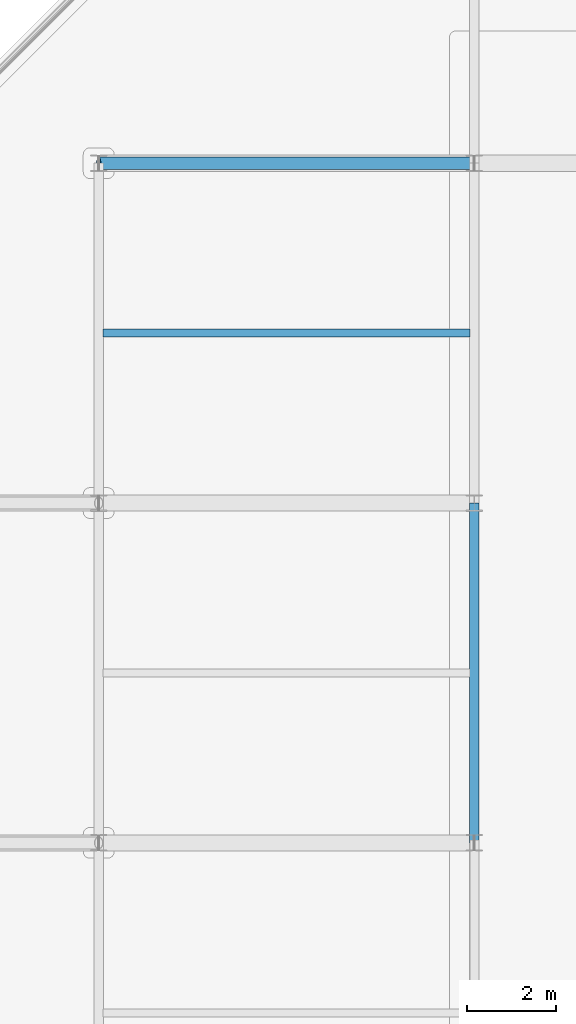
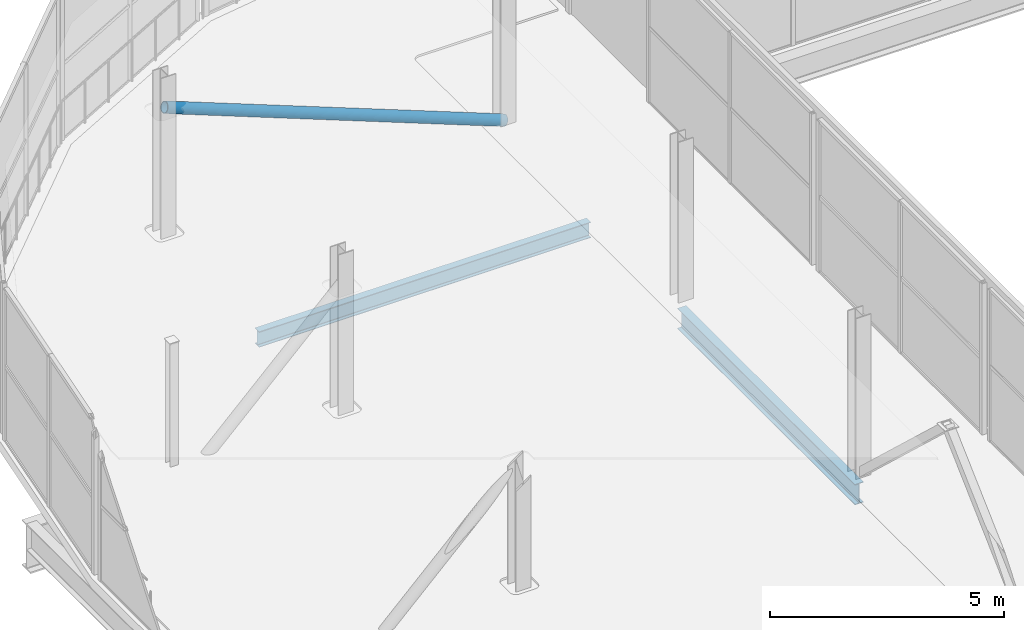
# One storey, part 52 of 217: 2 beams, 1 member.
"""IFC4 building model written with IfcOpenShell, lengths in metres."""

from ifc_helpers import new_model, si_unit, direction, frame, origin, origin_2d, place, context, subcontext, project, spatial, hollow_circle, i_section, extrude, material, material_profile, profile_set, type_object, element, save


model = new_model("IFC4")

# Units and contexts
model_context = context("Model", 3, precision=1e-05, world=origin(), true_north=direction((0.0, 1.0)))
body_context = subcontext(model_context, "Body", "Model", "MODEL_VIEW")
ifc_project = project(units=[si_unit("LENGTHUNIT", "METRE"), si_unit("AREAUNIT", "SQUARE_METRE"), si_unit("VOLUMEUNIT", "CUBIC_METRE"), si_unit("PLANEANGLEUNIT", "RADIAN"), si_unit("MASSUNIT", "GRAM", prefix="KILO")], contexts=[model_context])

# Site, building, storey
site_placement = place(None, origin())
site = spatial("IfcSite", under=ifc_project, at=site_placement, CompositionType="ELEMENT")
building_placement = place(site_placement, origin())
building = spatial("IfcBuilding", under=site, at=building_placement, Name="Zuvorla Pavilion Media Centre", CompositionType="ELEMENT")
storey_placement = place(building_placement, frame((0.0, 0.0, 9.60009765625)))
storey = spatial("IfcBuildingStorey", under=building, at=storey_placement, Name="L02", CompositionType="ELEMENT", Elevation=9.60009765625)

# Beams
ifc_material = material(Name="Steel S355", Category="steel")
ifc_material_profile_1 = material_profile(ifc_material, i_section(OverallWidth=0.1787109375, OverallDepth=0.409423828125, WebThickness=0.0087890625, FlangeThickness=0.014404296875, FilletRadius=0.01025390625, at=origin_2d()), Name="UB 406x178x67")
ifc_profile_set_1 = profile_set([ifc_material_profile_1], Name="Steel S355")
beam_type_1 = type_object("IfcBeamType", Name="BM-UB406", PredefinedType="JOIST", material=ifc_profile_set_1)
beam_1_placement = place(storey_placement, frame((16.5, 78.199951171875, -0.472900390625), z_axis=(1.0, 0.0, 0.0), x_axis=(0.0, 1.0, 0.0)))
element("IfcBeam", 1, at=beam_1_placement, inside=storey, type_object=beam_type_1, Name="L02 joist J02 984", PredefinedType="JOIST", context=body_context, shape_type="SweptSolid", body=[
    extrude(i_section(OverallWidth=0.1787109375, OverallDepth=0.409423828125, WebThickness=0.0087890625, FlangeThickness=0.014404296875, FilletRadius=0.01025390625, at=origin_2d()), origin(), (0.0, 0.0, 1.0), 8.199951171875),
])
ifc_material_profile_2 = material_profile(ifc_material, i_section(OverallWidth=0.2099609375, OverallDepth=0.53662109375, WebThickness=0.0107421875, FlangeThickness=0.017333984375, FilletRadius=0.0126953125, at=origin_2d()), Name="UB 533x210x101")
ifc_profile_set_2 = profile_set([ifc_material_profile_2], Name="Steel S355")
beam_type_2 = type_object("IfcBeamType", Name="BM-UB533", PredefinedType="BEAM", material=ifc_profile_set_2)
beam_2_placement = place(storey_placement, frame((24.800048828125, 66.800048828125, -0.536376953125), z_axis=(0.0, 1.0, 0.0), x_axis=(-1.0, 0.0, 0.0)))
element("IfcBeam", 2, at=beam_2_placement, inside=storey, type_object=beam_type_2, Name="L02 beam B08 898", PredefinedType="BEAM", context=body_context, shape_type="SweptSolid", body=[
    extrude(i_section(OverallWidth=0.2099609375, OverallDepth=0.53662109375, WebThickness=0.0107421875, FlangeThickness=0.017333984375, FilletRadius=0.0126953125, at=origin_2d()), origin(), (0.0, 0.0, 1.0), 7.599853515625),
])

# Member
ifc_material_profile_3 = material_profile(ifc_material, hollow_circle(Radius=0.136474609375, WallThickness=0.012451171875, at=origin_2d()), Name="CHS 273x12.5")
ifc_profile_set_3 = profile_set([ifc_material_profile_3], Name="Steel S355")
member_type = type_object("IfcMemberType", Name="MEM-BRC-CHS273", PredefinedType="BRACE", material=ifc_profile_set_3)
member_placement = place(storey_placement, frame((24.800048828125, 82.0, 0.0), z_axis=(-0.931514541354, 0.0, 0.363704081976), x_axis=(0.0, -1.0, 0.0)))
element("IfcMember", 3, at=member_placement, inside=storey, type_object=member_type, Name="L02 diagonal brace TB01 27", PredefinedType="BRACE", context=body_context, shape_type="SweptSolid", body=[
    extrude(hollow_circle(Radius=0.136474609375, WallThickness=0.012451171875, at=origin_2d()), origin(), (0.0, 0.0, 1.0), 9.017822265625),
])

save(model, "model.ifc")
